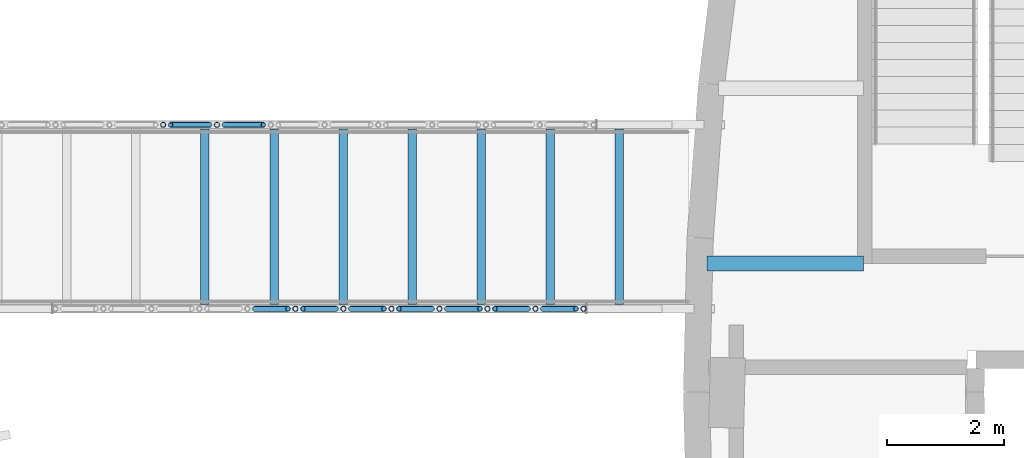
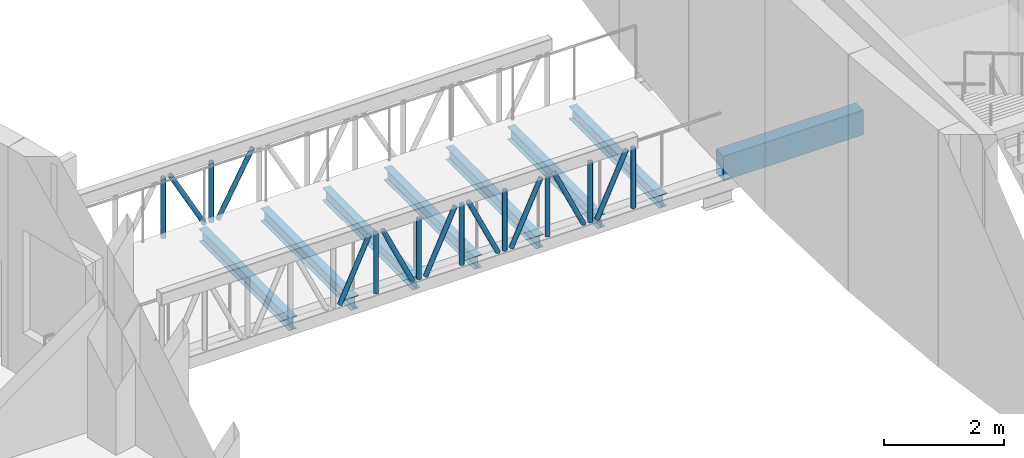
# One storey, part 14 of 93: 18 members, 8 beams.
"""IFC4 building model written with IfcOpenShell, lengths in metres."""

import ifcopenshell
import ifcopenshell.guid

model = None  # the IFC model being written
_history = None  # IfcOwnerHistory: only IFC2X3 demands one
_inside = {}  # id of a spatial element -> (the spatial element, [elements in it])
_under = {}  # id of a project, library or spatial element -> (it, [spatial elements below it])
_declared = {}  # id of a project -> (the project, [libraries it declares])
_typed = {}  # id of a type object -> (the type object, [elements of that type])
_made_of = {}  # id of a material, layer set ... -> (it, [elements and type objects made of it])


def new_model(schema):
    """Start an empty IFC model of exactly this schema.

    Asked for "IFC4X3", IfcOpenShell would pick the latest addendum, in which some entities
    have other attributes; the version numbers below select the first issue.
    IFC2X3 requires an IfcOwnerHistory on every rooted entity: one is made here for all.
    """
    global model, _history
    if schema == "IFC4X3":
        model = ifcopenshell.file(schema_version=(4, 3, 0, 0))
    else:
        model = ifcopenshell.file(schema=schema)
    _inside.clear()
    _under.clear()
    _declared.clear()
    _typed.clear()
    _made_of.clear()
    _history = None
    if model.schema == "IFC2X3":
        org = make("IfcOrganization", Name="unknown")
        user = make(
            "IfcPersonAndOrganization",
            ThePerson=make("IfcPerson", FamilyName="unknown"),
            TheOrganization=org,
        )
        app = make(
            "IfcApplication",
            ApplicationDeveloper=org,
            Version="unknown",
            ApplicationFullName="unknown",
            ApplicationIdentifier="unknown",
        )
        _history = make(
            "IfcOwnerHistory",
            OwningUser=user,
            OwningApplication=app,
            ChangeAction="ADDED",
            CreationDate=0,
        )
    return model


def make(cls, **values):
    """One entity of the class cls with the attributes given. An attribute that is None is left unset."""
    return model.create_entity(
        cls, **{name: value for name, value in values.items() if value is not None}
    )


def rooted(cls, **values):
    """An entity with a GlobalId (a new one), such as an element, a storey or a relation."""
    return make(cls, GlobalId=ifcopenshell.guid.new(), OwnerHistory=_history, **values)


def si_unit(unit_type, name, prefix=None):
    """IfcSIUnit, for example si_unit("LENGTHUNIT", "METRE", prefix="MILLI")."""
    return make("IfcSIUnit", UnitType=unit_type, Prefix=prefix, Name=name)


def assignment(units):
    """IfcUnitAssignment: the units of a project."""
    return None if units is None else make("IfcUnitAssignment", Units=units)


def point(xyz):
    """IfcCartesianPoint."""
    return None if xyz is None else make("IfcCartesianPoint", Coordinates=xyz)


def direction(xyz):
    """IfcDirection."""
    return None if xyz is None else make("IfcDirection", DirectionRatios=xyz)


def frame(location, z_axis=None, x_axis=None):
    """IfcAxis2Placement3D, a coordinate frame: its origin and axes. An axis left out is left unset."""
    return make(
        "IfcAxis2Placement3D",
        Location=point(location),
        Axis=direction(z_axis),
        RefDirection=direction(x_axis),
    )


def frame_2d(location, x_axis=None):
    """IfcAxis2Placement2D, a coordinate frame in the plane: its origin and x axis."""
    return make(
        "IfcAxis2Placement2D", Location=point(location), RefDirection=direction(x_axis)
    )


def origin():
    """The frame at (0, 0, 0) with its axes left unset."""
    return frame((0.0, 0.0, 0.0))


def origin_2d():
    """The frame at (0, 0) in the plane with its x axis left unset."""
    return frame_2d((0.0, 0.0))


def place(relative_to, where):
    """IfcLocalPlacement: puts the frame where relative to a parent placement (None: the world)."""
    return make(
        "IfcLocalPlacement", PlacementRelTo=relative_to, RelativePlacement=where
    )


def context(
    kind, dimensions, precision=None, world=None, true_north=None, identifier=None
):
    """IfcGeometricRepresentationContext, for example the 3D "Model" context."""
    return make(
        "IfcGeometricRepresentationContext",
        ContextIdentifier=identifier,
        ContextType=kind,
        CoordinateSpaceDimension=dimensions,
        Precision=precision,
        WorldCoordinateSystem=world,
        TrueNorth=true_north,
    )


def subcontext(parent, identifier, kind, view, scale=None):
    """IfcGeometricRepresentationSubContext, for example "Body" below "Model"."""
    return make(
        "IfcGeometricRepresentationSubContext",
        ContextIdentifier=identifier,
        ContextType=kind,
        ParentContext=parent,
        TargetScale=scale,
        TargetView=view,
    )


def project(units=None, contexts=None):
    """IfcProject with its units and contexts."""
    return rooted(
        "IfcProject",
        Name="project",
        RepresentationContexts=contexts,
        UnitsInContext=assignment(units),
    )


def spatial(cls, under=None, at=None, **own):
    """A site, building, storey or space (cls), placed at a placement, below another one or the project."""
    s = rooted(cls, ObjectPlacement=at, **own)
    if under is not None:
        _under.setdefault(under.id(), (under, []))[1].append(s)
    return s


def profile(cls, at=None, kind="AREA", **sizes):
    """A parametric profile (cls). Its sizes go by their IFC names, for example OverallWidth=200.0."""
    return make(cls, ProfileType=kind, Position=at, **sizes)


def rectangle(**sizes):
    """IfcRectangleProfileDef."""
    return profile("IfcRectangleProfileDef", **sizes)


def hollow_circle(**sizes):
    """IfcCircleHollowProfileDef."""
    return profile("IfcCircleHollowProfileDef", **sizes)


def i_section(**sizes):
    """IfcIShapeProfileDef."""
    return profile("IfcIShapeProfileDef", **sizes)


def extrude(swept, where, along, depth):
    """IfcExtrudedAreaSolid: the profile swept, set in the frame where, extruded along a direction by depth."""
    return make(
        "IfcExtrudedAreaSolid",
        SweptArea=swept,
        Position=where,
        ExtrudedDirection=direction(along),
        Depth=depth,
    )


def shape(context_of_items, identifier, shape_type, items):
    """IfcShapeRepresentation: the items that make up one representation, for example the "Body"."""
    return make(
        "IfcShapeRepresentation",
        ContextOfItems=context_of_items,
        RepresentationIdentifier=identifier,
        RepresentationType=shape_type,
        Items=items,
    )


def material(Name=None, Category=None):
    """IfcMaterial."""
    return make("IfcMaterial", Name=Name, Category=Category)


def material_profile(
    of_material, cross_section, Name=None, Category=None, Priority=None
):
    """IfcMaterialProfile: a cross section and its material."""
    return make(
        "IfcMaterialProfile",
        Name=Name,
        Material=of_material,
        Profile=cross_section,
        Priority=Priority,
        Category=Category,
    )


def profile_set(profiles, Name=None, composite=None):
    """IfcMaterialProfileSet."""
    return make(
        "IfcMaterialProfileSet",
        Name=Name,
        MaterialProfiles=profiles,
        CompositeProfile=composite,
    )


def made_of(thing, what):
    """Note that an element or type object is made of a material, layer set ...; save() writes the relation."""
    if what is not None:
        _made_of.setdefault(what.id(), (what, []))[1].append(thing)
    return thing


def type_object(cls, material=None, **own):
    """A type object (cls), such as IfcWallType, which elements share."""
    return made_of(rooted(cls, **own), material)


def element(
    cls,
    number,
    at=None,
    inside=None,
    cuts=None,
    type_object=None,
    material=None,
    context=None,
    identifier="Body",
    shape_type=None,
    held_by="IfcProductDefinitionShape",
    body=None,
    shapes=None,
    **own,
):
    """One element of the class cls, such as IfcWall. Its Tag is "e" and its number.

    at: its placement. inside: the storey or other place that contains it. cuts: it is an
    opening in that element (IfcRelVoidsElement). A single representation is given by context,
    identifier, shape_type and body (its items); several are given by shapes. held_by: the class
    of the entity that holds the representations. save() writes the other relations.
    """
    e = rooted(cls, Tag="e%d" % number, ObjectPlacement=at, **own)
    if body is not None:
        shapes = [shape(context, identifier, shape_type, body)]
    if shapes is not None:
        e.Representation = make(held_by, Representations=shapes)
    if inside is not None:
        _inside.setdefault(inside.id(), (inside, []))[1].append(e)
    if cuts is not None:
        rooted(
            "IfcRelVoidsElement", RelatingBuildingElement=cuts, RelatedOpeningElement=e
        )
    if type_object is not None:
        _typed.setdefault(type_object.id(), (type_object, []))[1].append(e)
    return made_of(e, material)


def aggregate(whole, parts):
    """IfcRelAggregates: a whole, such as a stair, and the parts it consists of."""
    return rooted("IfcRelAggregates", RelatingObject=whole, RelatedObjects=parts)


def save(model, path):
    """Write the relations noted so far, then the file.

    IfcRelAggregates (storeys below a building ...), IfcRelContainedInSpatialStructure (elements
    in a storey), IfcRelDefinesByType, IfcRelAssociatesMaterial and IfcRelDeclares: one each for
    every whole, place, type object, material and project.
    """
    for whole, parts in _under.values():
        aggregate(whole, parts)
    for where, things in _inside.values():
        rooted(
            "IfcRelContainedInSpatialStructure",
            RelatedElements=things,
            RelatingStructure=where,
        )
    for kind, things in _typed.values():
        rooted("IfcRelDefinesByType", RelatedObjects=things, RelatingType=kind)
    for what, things in _made_of.values():
        rooted("IfcRelAssociatesMaterial", RelatedObjects=things, RelatingMaterial=what)
    for by, libraries in _declared.values():
        rooted("IfcRelDeclares", RelatingContext=by, RelatedDefinitions=libraries)
    model.write(path)


model = new_model("IFC4")

# Units and contexts
model_context = context("Model", 3, precision=1e-05, world=origin(), true_north=direction((0.0, 1.0)))
body_context = subcontext(model_context, "Body", "Model", "MODEL_VIEW")
ifc_project = project(units=[si_unit("LENGTHUNIT", "METRE"), si_unit("AREAUNIT", "SQUARE_METRE"), si_unit("VOLUMEUNIT", "CUBIC_METRE"), si_unit("PLANEANGLEUNIT", "RADIAN"), si_unit("MASSUNIT", "GRAM", prefix="KILO")], contexts=[model_context])

# Site, building, storey
site_placement = place(None, origin())
site = spatial("IfcSite", under=ifc_project, at=site_placement, CompositionType="ELEMENT")
building_placement = place(site_placement, origin())
building = spatial("IfcBuilding", under=site, at=building_placement, Name="Tide Square Theatres", CompositionType="ELEMENT")
storey_placement = place(building_placement, frame((0.0, 0.0, 5.39990234375)))
storey = spatial("IfcBuildingStorey", under=building, at=storey_placement, Name="L01", CompositionType="ELEMENT", Elevation=5.39990234375)

# Beams
ifc_material_1 = material(Name="Concrete C35", Category="concrete")
ifc_material_profile_1 = material_profile(ifc_material_1, rectangle(XDim=0.25, YDim=0.5, at=origin_2d()))
ifc_profile_set_1 = profile_set([ifc_material_profile_1], Name="Concrete C35")
beam_type_1 = type_object("IfcBeamType", Name="RC beam 250 x 500", PredefinedType="BEAM", material=ifc_profile_set_1)
beam_placement = place(storey_placement, frame((63.069091796875, 57.199951171875, -0.5), z_axis=(1.0, 0.0, 0.0), x_axis=(0.0, 1.0, 0.0)))
element("IfcBeam", 1, at=beam_placement, inside=storey, type_object=beam_type_1, Name="Floor beam", PredefinedType="BEAM", context=body_context, shape_type="SweptSolid", body=[
    extrude(rectangle(XDim=0.25, YDim=0.5, at=origin_2d()), origin(), (0.0, 0.0, 1.0), 2.680908203125),
])
ifc_material_2 = material(Name="Steel ASTM A572 Grade 50", Category="steel")
ifc_material_profile_2 = material_profile(ifc_material_2, i_section(OverallWidth=0.14599609375, OverallDepth=0.258056640625, WebThickness=0.006103515625, FlangeThickness=0.009033203125, FilletRadius=0.010009765625, at=origin_2d()))
ifc_profile_set_2 = profile_set([ifc_material_profile_2], Name="Steel ASTM A572 Grade 50")
beam_type_2 = type_object("IfcBeamType", Name="Steel beam W 250 x 32.7", PredefinedType="BEAM", material=ifc_profile_set_2)
for number, where, z_axis, x_axis, name in (
    (2, (54.474609375, 56.5, -0.27978515625), (0.0, 1.0, 0.0), (-1.0, 0.0, 0.0), "Bridge BR-W1 cross beam"),
    (3, (55.65771484375, 56.5, -0.27978515625), (0.0, 1.0, 0.0), (-1.0, 0.0, 0.0), "Bridge BR-W1 cross beam"),
    (4, (56.8408203125, 56.5, -0.27978515625), (0.0, 1.0, 0.0), (-1.0, 0.0, 0.0), "Bridge BR-W1 cross beam"),
    (5, (58.023681640625, 56.5, -0.27978515625), (0.0, 1.0, 0.0), (-1.0, 0.0, 0.0), "Bridge BR-W1 cross beam"),
    (6, (59.206787109375, 56.5, -0.27978515625), (0.0, 1.0, 0.0), (-1.0, 0.0, 0.0), "Bridge BR-W1 cross beam"),
    (7, (60.3896484375, 56.5, -0.27978515625), (0.0, 1.0, 0.0), (-1.0, 0.0, 0.0), "Bridge BR-W1 cross beam"),
    (8, (61.57275390625, 56.5, -0.27978515625), (0.0, 1.0, 0.0), (-1.0, 0.0, 0.0), "Bridge BR-W1 cross beam"),
):
    element("IfcBeam", number, at=place(storey_placement, frame(where, z_axis=z_axis, x_axis=x_axis)), inside=storey, type_object=beam_type_2, Name=name, PredefinedType="BEAM", context=body_context, shape_type="SweptSolid", body=[
        extrude(i_section(OverallWidth=0.14599609375, OverallDepth=0.258056640625, WebThickness=0.006103515625, FlangeThickness=0.009033203125, FilletRadius=0.010009765625, at=origin_2d()), origin(), (0.0, 0.0, 1.0), 3.0),
    ])

# Members
ifc_material_3 = material(Name="Steel ASTM A500 Grade C", Category="steel")
ifc_material_profile_3 = material_profile(ifc_material_3, hollow_circle(Radius=0.04443359375, WallThickness=0.0048828125, at=origin_2d()))
ifc_profile_set_3 = profile_set([ifc_material_profile_3], Name="Steel ASTM A500 Grade C")
member_type_1 = type_object("IfcMemberType", Name="Steel brace CHS 88.9 x 5.0", PredefinedType="BRACE", material=ifc_profile_set_3)
for number, where, z_axis, x_axis, name in (
    (9, (55.32861328125, 56.425048828125, -0.14990234375), (0.420250416116, 0.0, 0.907408170425), (0.0, 1.0, 0.0), "Bridge BR-W1 diagonal"),
    (10, (56.150634765625, 56.425048828125, 1.0751953125), (0.420250416116, 0.0, -0.907408170425), (0.0, 1.0, 0.0), "Bridge BR-W1 diagonal"),
    (11, (56.97265625, 56.425048828125, -0.14990234375), (0.420250416116, 0.0, 0.907408170425), (0.0, 1.0, 0.0), "Bridge BR-W1 diagonal"),
    (12, (57.794677734375, 56.425048828125, 1.0751953125), (0.420250416116, 0.0, -0.907408170425), (0.0, 1.0, 0.0), "Bridge BR-W1 diagonal"),
    (13, (58.61669921875, 56.425048828125, -0.14990234375), (0.420250416116, 0.0, 0.907408170425), (0.0, 1.0, 0.0), "Bridge BR-W1 diagonal"),
    (14, (59.438720703125, 56.425048828125, 1.0751953125), (0.420250416116, 0.0, -0.907408170425), (0.0, 1.0, 0.0), "Bridge BR-W1 diagonal"),
    (15, (60.2607421875, 56.425048828125, -0.14990234375), (0.420250416116, 0.0, 0.907408170425), (0.0, 1.0, 0.0), "Bridge BR-W1 diagonal"),
):
    element("IfcMember", number, at=place(storey_placement, frame(where, z_axis=z_axis, x_axis=x_axis)), inside=storey, type_object=member_type_1, Name=name, PredefinedType="BRACE", context=body_context, shape_type="SweptSolid", body=[
        extrude(hollow_circle(Radius=0.04443359375, WallThickness=0.0048828125, at=origin_2d()), origin(), (0.0, 0.0, 1.0), 1.35009765625),
    ])
for number, where, z_axis, x_axis, name in (
    (16, (53.885986328125, 59.574951171875, 1.0751953125), (0.477895186301, 0.0, -0.878416866249), (0.0, 1.0, 0.0), "Bridge BR-W1 diagonal"),
    (17, (54.80712890625, 59.574951171875, -0.14990234375), (0.477895186301, 0.0, 0.878416866249), (0.0, 1.0, 0.0), "Bridge BR-W1 diagonal"),
):
    element("IfcMember", number, at=place(storey_placement, frame(where, z_axis=z_axis, x_axis=x_axis)), inside=storey, type_object=member_type_1, Name=name, PredefinedType="BRACE", context=body_context, shape_type="SweptSolid", body=[
        extrude(hollow_circle(Radius=0.04443359375, WallThickness=0.0048828125, at=origin_2d()), origin(), (0.0, 0.0, 1.0), 1.394775390625),
    ])
ifc_material_4 = material(Name="Steel ASTM A500 Grade C", Category="steel")
ifc_material_profile_4 = material_profile(ifc_material_4, hollow_circle(Radius=0.04443359375, WallThickness=0.0048828125, at=origin_2d()))
ifc_profile_set_4 = profile_set([ifc_material_profile_4], Name="Steel ASTM A500 Grade C")
member_type_2 = type_object("IfcMemberType", Name="Steel strut CHS 88.9 x 5.0", PredefinedType="STRUT", material=ifc_profile_set_4)
for number, where, z_axis, x_axis, name in (
    (18, (56.023193359375, 56.425048828125, -0.14990234375), (0.0, 0.0, 1.0), (1.0, 0.0, 0.0), "Bridge BR-W1 post"),
    (19, (56.84521484375, 56.425048828125, -0.14990234375), (0.0, 0.0, 1.0), (1.0, 0.0, 0.0), "Bridge BR-W1 post"),
    (20, (57.66748046875, 56.425048828125, -0.14990234375), (0.0, 0.0, 1.0), (1.0, 0.0, 0.0), "Bridge BR-W1 post"),
    (21, (58.489501953125, 56.425048828125, -0.14990234375), (0.0, 0.0, 1.0), (1.0, 0.0, 0.0), "Bridge BR-W1 post"),
    (22, (59.3115234375, 56.425048828125, -0.14990234375), (0.0, 0.0, 1.0), (1.0, 0.0, 0.0), "Bridge BR-W1 post"),
    (23, (60.133544921875, 56.425048828125, -0.14990234375), (0.0, 0.0, 1.0), (1.0, 0.0, 0.0), "Bridge BR-W1 post"),
    (24, (60.95556640625, 56.425048828125, -0.14990234375), (0.0, 0.0, 1.0), (1.0, 0.0, 0.0), "Bridge BR-W1 post"),
    (25, (53.7587890625, 59.574951171875, -0.14990234375), (0.0, 0.0, 1.0), (1.0, 0.0, 0.0), "Bridge BR-W1 post"),
    (26, (54.679931640625, 59.574951171875, -0.14990234375), (0.0, 0.0, 1.0), (1.0, 0.0, 0.0), "Bridge BR-W1 post"),
):
    element("IfcMember", number, at=place(storey_placement, frame(where, z_axis=z_axis, x_axis=x_axis)), inside=storey, type_object=member_type_2, Name=name, PredefinedType="STRUT", context=body_context, shape_type="SweptSolid", body=[
        extrude(hollow_circle(Radius=0.04443359375, WallThickness=0.0048828125, at=origin_2d()), origin(), (0.0, 0.0, 1.0), 1.22509765625),
    ])

save(model, "model.ifc")
